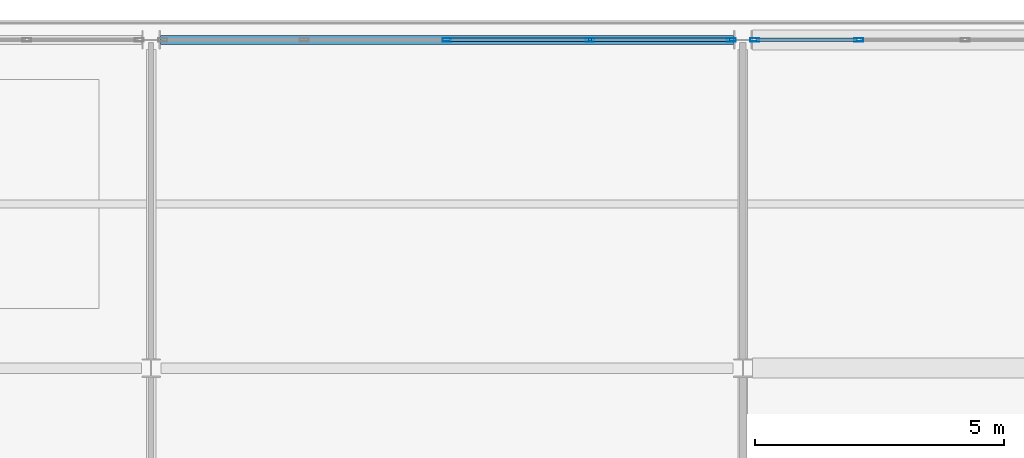
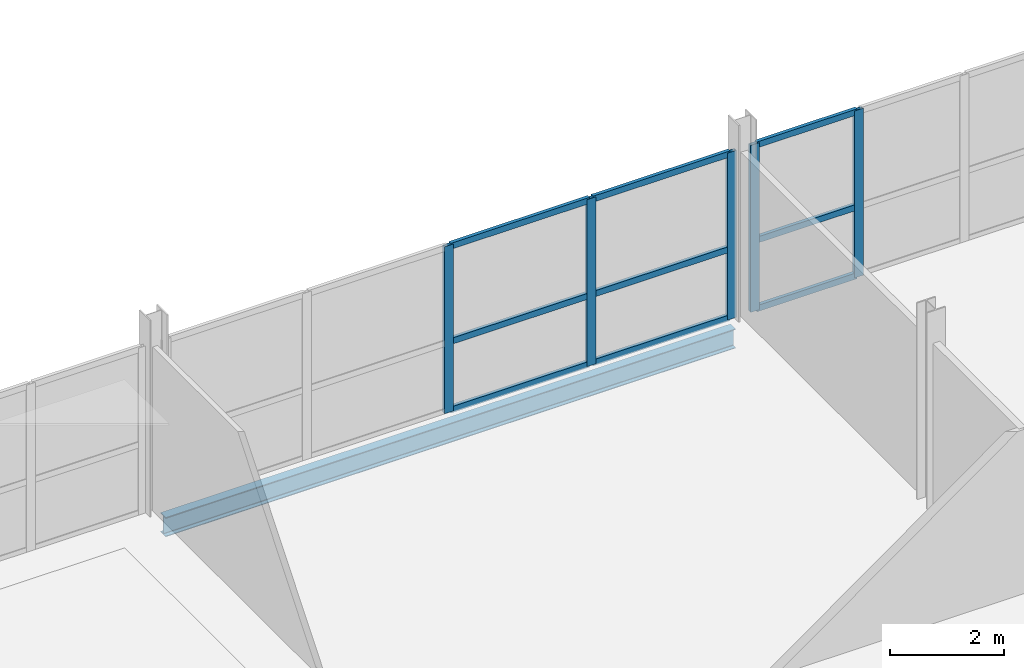
# One storey, part 12 of 23: 14 members, 1 beam, 2 elements without a shape of their own.
"""IFC4 building model written with IfcOpenShell, lengths in metres."""

from ifc_helpers import new_model, si_unit, direction, frame, origin, origin_2d, place, context, subcontext, project, spatial, hollow_rectangle, i_section, extrude, material, layer, layer_set, material_profile, profile_set, type_object, element, aggregate, save


model = new_model("IFC4")

# Units and contexts
model_context = context("Model", 3, precision=1e-05, world=origin(), true_north=direction((0.0, 1.0)))
body_context = subcontext(model_context, "Body", "Model", "MODEL_VIEW")
ifc_project = project(units=[si_unit("LENGTHUNIT", "METRE"), si_unit("AREAUNIT", "SQUARE_METRE"), si_unit("VOLUMEUNIT", "CUBIC_METRE"), si_unit("PLANEANGLEUNIT", "RADIAN"), si_unit("MASSUNIT", "GRAM", prefix="KILO")], contexts=[model_context])

# Site, building, storey
site_placement = place(None, origin())
site = spatial("IfcSite", under=ifc_project, at=site_placement, CompositionType="ELEMENT")
building_placement = place(site_placement, origin())
building = spatial("IfcBuilding", under=site, at=building_placement, Name="Quillay Park Conservatory", CompositionType="ELEMENT")
storey_placement = place(building_placement, frame((0.0, 0.0, 22.5)))
storey = spatial("IfcBuildingStorey", under=building, at=storey_placement, Name="L05", CompositionType="ELEMENT", Elevation=22.5)

# Curtain wall, members
ifc_material_1 = material(Name="Thermally Broken Anodised Aluminium 6063-T6", Category="aluminium")
ifc_layer = layer(ifc_material_1, 0.179931640625)
ifc_layer_set = layer_set([ifc_layer], Name="UNITISED CURTAIN WALL TOWER (Thermally Broken Anodised Aluminium 6063-T6)")
curtain_wall_type = type_object("IfcCurtainWallType", Name="UNITISED CURTAIN WALL TOWER", PredefinedType="USERDEFINED", material=ifc_layer_set)
curtain_wall_1_placement = place(storey_placement, origin())
curtain_wall_1 = element("IfcCurtainWall", 1, at=curtain_wall_1_placement, inside=storey, type_object=curtain_wall_type, Name="L05 Unitised Curtain Wall 056", ObjectType="UNITISED CURTAIN WALL", PredefinedType="USERDEFINED")
ifc_material_2 = material(Name="Thermally Broken Anodised Aluminium 6063-T6", Category="aluminium")
ifc_material_profile_1 = material_profile(ifc_material_2, hollow_rectangle(XDim=0.070068359375, YDim=0.179931640625, WallThickness=0.00390625, at=origin_2d()), Name="AL70x180x4")
ifc_profile_set_1 = profile_set([ifc_material_profile_1], Name="Thermally Broken Anodised Aluminium 6063-T6")
member_type_1 = type_object("IfcMemberType", Name="CURTAIN WALL MULLION 70 X180", PredefinedType="MULLION", material=ifc_profile_set_1)
member_1_placement = place(storey_placement, frame((13.800048828125, 113.39990234375, 0.0), z_axis=(0.0, 0.0, 1.0), x_axis=(0.0, 1.0, 0.0)))
member_1 = element("IfcMember", 2, at=member_1_placement, type_object=member_type_1, Name="CW-T1 mullion 3", PredefinedType="MULLION", context=body_context, shape_type="SweptSolid", body=[
    extrude(hollow_rectangle(XDim=0.070068359375, YDim=0.179931640625, WallThickness=0.00390625, at=origin_2d()), origin(), (0.0, 0.0, 1.0), 3.569091796875),
])
member_2_placement = place(storey_placement, frame((16.675048828125, 113.39990234375, 0.0), z_axis=(0.0, 0.0, 1.0), x_axis=(0.0, 1.0, 0.0)))
member_2 = element("IfcMember", 3, at=member_2_placement, type_object=member_type_1, Name="CW-T1 mullion 4", PredefinedType="MULLION", context=body_context, shape_type="SweptSolid", body=[
    extrude(hollow_rectangle(XDim=0.070068359375, YDim=0.179931640625, WallThickness=0.00390625, at=origin_2d()), origin(), (0.0, 0.0, 1.0), 3.569091796875),
])
member_3_placement = place(storey_placement, frame((19.514892578125, 113.39990234375, 0.0), z_axis=(0.0, 0.0, 1.0), x_axis=(0.0, 1.0, 0.0)))
member_3 = element("IfcMember", 4, at=member_3_placement, type_object=member_type_1, Name="CW-T1 mullion 5", PredefinedType="MULLION", context=body_context, shape_type="SweptSolid", body=[
    extrude(hollow_rectangle(XDim=0.070068359375, YDim=0.179931640625, WallThickness=0.00390625, at=origin_2d()), origin(), (0.0, 0.0, 1.0), 3.569091796875),
])

curtain_wall_2_placement = place(storey_placement, origin())
curtain_wall_2 = element("IfcCurtainWall", 5, at=curtain_wall_2_placement, inside=storey, type_object=curtain_wall_type, Name="L05 Unitised Curtain Wall 057", ObjectType="UNITISED CURTAIN WALL", PredefinedType="USERDEFINED")
member_4_placement = place(storey_placement, frame((19.985107421875, 113.39990234375, 0.0), z_axis=(0.0, 0.0, 1.0), x_axis=(0.0, 1.0, 0.0)))
member_4 = element("IfcMember", 6, at=member_4_placement, type_object=member_type_1, Name="CW-T1 mullion 1", PredefinedType="MULLION", context=body_context, shape_type="SweptSolid", body=[
    extrude(hollow_rectangle(XDim=0.070068359375, YDim=0.179931640625, WallThickness=0.00390625, at=origin_2d()), origin(), (0.0, 0.0, 1.0), 3.569091796875),
])
member_5_placement = place(storey_placement, frame((22.083251953125, 113.39990234375, 0.0), z_axis=(0.0, 0.0, 1.0), x_axis=(0.0, 1.0, 0.0)))
member_5 = element("IfcMember", 7, at=member_5_placement, type_object=member_type_1, Name="CW-T1 mullion 2", PredefinedType="MULLION", context=body_context, shape_type="SweptSolid", body=[
    extrude(hollow_rectangle(XDim=0.070068359375, YDim=0.179931640625, WallThickness=0.00390625, at=origin_2d()), origin(), (0.0, 0.0, 1.0), 3.569091796875),
])

# Member
ifc_material_3 = material(Name="Thermally Broken Anodised Aluminium 6063-T6", Category="aluminium")
ifc_material_profile_2 = material_profile(ifc_material_3, hollow_rectangle(XDim=0.070068359375, YDim=0.1298828125, WallThickness=0.003173828125, at=origin_2d()), Name="AL70x130x3.2")
ifc_profile_set_2 = profile_set([ifc_material_profile_2], Name="Thermally Broken Anodised Aluminium 6063-T6")
member_type_2 = type_object("IfcMemberType", Name="CURTAIN WALL TRANSOM 70 X130", PredefinedType="USERDEFINED", material=ifc_profile_set_2)
member_6_placement = place(storey_placement, frame((13.8349609375, 113.39990234375, 0.034912109375), z_axis=(1.0, 0.0, 0.0), x_axis=(0.0, 1.0, 0.0)))
member_6 = element("IfcMember", 8, at=member_6_placement, type_object=member_type_2, Name="CW-T1 transom 3.1", ObjectType="TRANSOM", PredefinedType="USERDEFINED", context=body_context, shape_type="SweptSolid", body=[
    extrude(hollow_rectangle(XDim=0.070068359375, YDim=0.1298828125, WallThickness=0.003173828125, at=origin_2d()), origin(), (0.0, 0.0, 1.0), 2.804931640625),
])

member_7_placement = place(storey_placement, frame((13.8349609375, 113.39990234375, 1.4990234375), z_axis=(1.0, 0.0, 0.0), x_axis=(0.0, 1.0, 0.0)))
member_7 = element("IfcMember", 9, at=member_7_placement, type_object=member_type_2, Name="CW-T1 transom 3.2", ObjectType="TRANSOM", PredefinedType="USERDEFINED", context=body_context, shape_type="SweptSolid", body=[
    extrude(hollow_rectangle(XDim=0.070068359375, YDim=0.1298828125, WallThickness=0.003173828125, at=origin_2d()), origin(), (0.0, 0.0, 1.0), 2.804931640625),
])

member_8_placement = place(storey_placement, frame((13.8349609375, 113.39990234375, 3.533935546875), z_axis=(1.0, 0.0, 0.0), x_axis=(0.0, 1.0, 0.0)))
member_8 = element("IfcMember", 10, at=member_8_placement, type_object=member_type_2, Name="CW-T1 transom 3.3", ObjectType="TRANSOM", PredefinedType="USERDEFINED", context=body_context, shape_type="SweptSolid", body=[
    extrude(hollow_rectangle(XDim=0.070068359375, YDim=0.1298828125, WallThickness=0.003173828125, at=origin_2d()), origin(), (0.0, 0.0, 1.0), 2.804931640625),
])

member_9_placement = place(storey_placement, frame((16.7099609375, 113.39990234375, 0.034912109375), z_axis=(1.0, 0.0, 0.0), x_axis=(0.0, 1.0, 0.0)))
member_9 = element("IfcMember", 11, at=member_9_placement, type_object=member_type_2, Name="CW-T1 transom 4.1", ObjectType="TRANSOM", PredefinedType="USERDEFINED", context=body_context, shape_type="SweptSolid", body=[
    extrude(hollow_rectangle(XDim=0.070068359375, YDim=0.1298828125, WallThickness=0.003173828125, at=origin_2d()), origin(), (0.0, 0.0, 1.0), 2.77001953125),
])

member_10_placement = place(storey_placement, frame((16.7099609375, 113.39990234375, 1.4990234375), z_axis=(1.0, 0.0, 0.0), x_axis=(0.0, 1.0, 0.0)))
member_10 = element("IfcMember", 12, at=member_10_placement, type_object=member_type_2, Name="CW-T1 transom 4.2", ObjectType="TRANSOM", PredefinedType="USERDEFINED", context=body_context, shape_type="SweptSolid", body=[
    extrude(hollow_rectangle(XDim=0.070068359375, YDim=0.1298828125, WallThickness=0.003173828125, at=origin_2d()), origin(), (0.0, 0.0, 1.0), 2.77001953125),
])

member_11_placement = place(storey_placement, frame((16.7099609375, 113.39990234375, 3.533935546875), z_axis=(1.0, 0.0, 0.0), x_axis=(0.0, 1.0, 0.0)))
member_11 = element("IfcMember", 13, at=member_11_placement, type_object=member_type_2, Name="CW-T1 transom 4.3", ObjectType="TRANSOM", PredefinedType="USERDEFINED", context=body_context, shape_type="SweptSolid", body=[
    extrude(hollow_rectangle(XDim=0.070068359375, YDim=0.1298828125, WallThickness=0.003173828125, at=origin_2d()), origin(), (0.0, 0.0, 1.0), 2.77001953125),
])

aggregate(curtain_wall_1, [member_1, member_2, member_3, member_6, member_7, member_8, member_9, member_10, member_11])

member_12_placement = place(storey_placement, frame((20.02001953125, 113.39990234375, 0.034912109375), z_axis=(1.0, 0.0, 0.0), x_axis=(0.0, 1.0, 0.0)))
member_12 = element("IfcMember", 14, at=member_12_placement, type_object=member_type_2, Name="CW-T1 transom 1.1", ObjectType="TRANSOM", PredefinedType="USERDEFINED", context=body_context, shape_type="SweptSolid", body=[
    extrude(hollow_rectangle(XDim=0.070068359375, YDim=0.1298828125, WallThickness=0.003173828125, at=origin_2d()), origin(), (0.0, 0.0, 1.0), 2.0283203125),
])

member_13_placement = place(storey_placement, frame((20.02001953125, 113.39990234375, 1.4990234375), z_axis=(1.0, 0.0, 0.0), x_axis=(0.0, 1.0, 0.0)))
member_13 = element("IfcMember", 15, at=member_13_placement, type_object=member_type_2, Name="CW-T1 transom 1.2", ObjectType="TRANSOM", PredefinedType="USERDEFINED", context=body_context, shape_type="SweptSolid", body=[
    extrude(hollow_rectangle(XDim=0.070068359375, YDim=0.1298828125, WallThickness=0.003173828125, at=origin_2d()), origin(), (0.0, 0.0, 1.0), 2.0283203125),
])

member_14_placement = place(storey_placement, frame((20.02001953125, 113.39990234375, 3.533935546875), z_axis=(1.0, 0.0, 0.0), x_axis=(0.0, 1.0, 0.0)))
member_14 = element("IfcMember", 16, at=member_14_placement, type_object=member_type_2, Name="CW-T1 transom 1.3", ObjectType="TRANSOM", PredefinedType="USERDEFINED", context=body_context, shape_type="SweptSolid", body=[
    extrude(hollow_rectangle(XDim=0.070068359375, YDim=0.1298828125, WallThickness=0.003173828125, at=origin_2d()), origin(), (0.0, 0.0, 1.0), 2.0283203125),
])

aggregate(curtain_wall_2, [member_4, member_5, member_12, member_13, member_14])

# Beam
ifc_material_4 = material(Name="Steel ASTM A992 Grade 50", Category="steel")
ifc_material_profile_3 = material_profile(ifc_material_4, i_section(OverallWidth=0.179931640625, OverallDepth=0.4130859375, WebThickness=0.009765625, FlangeThickness=0.01611328125, FilletRadius=0.011962890625, at=origin_2d()), Name="W410x74")
ifc_profile_set_3 = profile_set([ifc_material_profile_3], Name="Steel ASTM A992 Grade 50")
beam_type = type_object("IfcBeamType", Name="PERIMETER SPANDREL BEAM W410 X74", PredefinedType="SPANDREL", material=ifc_profile_set_3)
beam_placement = place(storey_placement, frame((8.0400390625, 113.39990234375, -0.406494140625), z_axis=(1.0, 0.0, 0.0), x_axis=(0.0, 1.0, 0.0)))
element("IfcBeam", 17, at=beam_placement, inside=storey, type_object=beam_type, Name="L05 beam BM-SP-0400", PredefinedType="SPANDREL", context=body_context, shape_type="SweptSolid", body=[
    extrude(i_section(OverallWidth=0.179931640625, OverallDepth=0.4130859375, WebThickness=0.009765625, FlangeThickness=0.01611328125, FilletRadius=0.011962890625, at=origin_2d()), origin(), (0.0, 0.0, 1.0), 11.52001953125),
])

save(model, "model.ifc")
